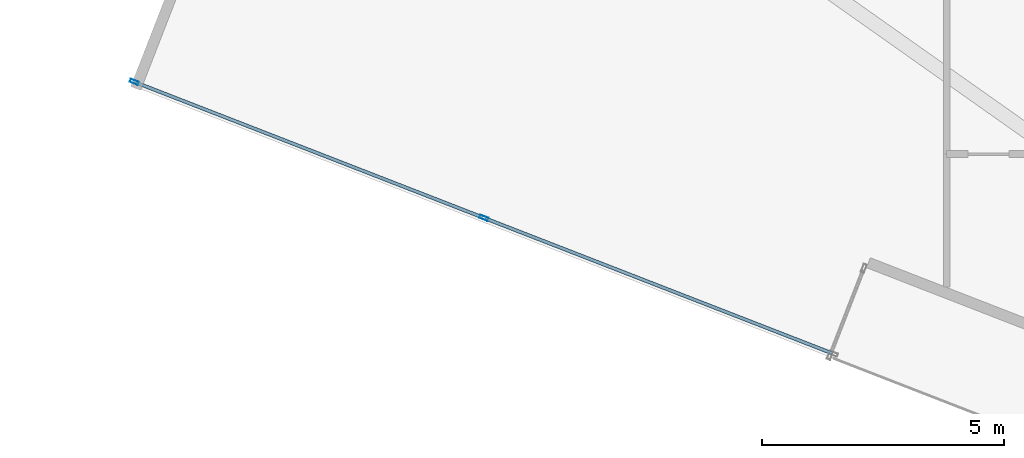
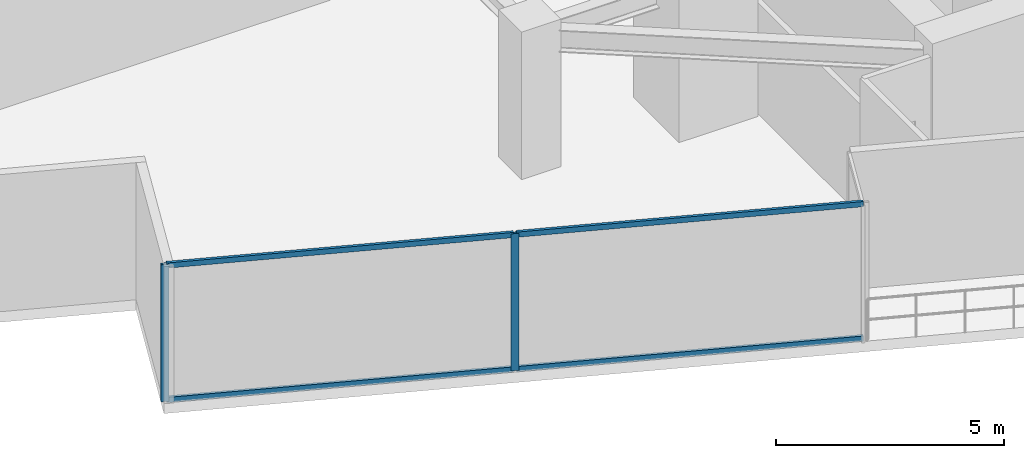
# One storey, part 2 of 26: 6 members, 1 element without a shape of its own.
"""IFC4 building model written with IfcOpenShell, lengths in metres."""

from ifc_helpers import new_model, si_unit, direction, frame, origin, origin_2d, place, context, subcontext, project, spatial, hollow_rectangle, extrude, source, transform, mapped, material, material_profile, profile_set, type_object, type_shapes, element, aggregate, save


model = new_model("IFC4")

# Units and contexts
model_context = context("Model", 3, precision=1e-05, world=origin(), true_north=direction((0.0, 1.0)))
body_context = subcontext(model_context, "Body", "Model", "MODEL_VIEW")
ifc_project = project(units=[si_unit("LENGTHUNIT", "METRE"), si_unit("AREAUNIT", "SQUARE_METRE"), si_unit("VOLUMEUNIT", "CUBIC_METRE"), si_unit("PLANEANGLEUNIT", "RADIAN"), si_unit("MASSUNIT", "GRAM", prefix="KILO")], contexts=[model_context])

# Site, building, storey
site_placement = place(None, origin())
site = spatial("IfcSite", under=ifc_project, at=site_placement, CompositionType="ELEMENT")
building_placement = place(site_placement, origin())
building = spatial("IfcBuilding", under=site, at=building_placement, Name="Krantzveldt Concourse Tower", CompositionType="ELEMENT")
storey_placement = place(building_placement, frame((0.0, 0.0, 129.550048828125)))
storey = spatial("IfcBuildingStorey", under=building, at=storey_placement, Name="L31", CompositionType="ELEMENT", Elevation=129.550048828125)

# Curtain wall, members
ifc_material = material(Name="Anodised aluminium 6063-T6", Category="aluminium")
curtain_wall_type = type_object("IfcCurtainWallType", Name="CW2", PredefinedType="USERDEFINED", material=ifc_material)
curtain_wall_placement = place(storey_placement, origin())
curtain_wall = element("IfcCurtainWall", 1, at=curtain_wall_placement, inside=storey, type_object=curtain_wall_type, Name="CW-L31-F04", ObjectType="UNITISED CURTAIN WALL", PredefinedType="USERDEFINED")
ifc_material_profile_1 = material_profile(ifc_material, hollow_rectangle(XDim=0.070068359375, YDim=0.179931640625, WallThickness=0.0048828125, at=origin_2d()), Name="Anodised aluminium 6063-T6", Category="aluminium")
ifc_profile_set_1 = profile_set([ifc_material_profile_1], Name="Anodised aluminium 6063-T6 - ALU-MULL 180x70x5")
member_type_1 = type_object("IfcMemberType", Name="CW-MUL-180", PredefinedType="MULLION", material=ifc_profile_set_1)
shared_shape_1 = source(origin(), body_context, "Body", "SweptSolid", [
    extrude(hollow_rectangle(XDim=0.070068359375, YDim=0.179931640625, WallThickness=0.0048828125, at=origin_2d()), origin(), (0.0, 0.0, 1.0), 3.669921875),
])
type_shapes(member_type_1, [shared_shape_1])
member_1_placement = place(storey_placement, frame((9.503173828125, 11.993408203125, 0.0), z_axis=(0.0, 0.0, 1.0), x_axis=(0.362437908899, 0.932007919598, 0.0)))
member_1 = element("IfcMember", 2, at=member_1_placement, type_object=member_type_1, Name="CW-Z12 mullion 1", PredefinedType="MULLION", context=body_context, shape_type="MappedRepresentation", body=[
    mapped(shared_shape_1, transform((0.0, 0.0, 0.0), x_axis=(1.0, 0.0, 0.0), y_axis=(0.0, 1.0, 0.0), z_axis=(0.0, 0.0, 1.0), scale=1.0)),
])
member_2_placement = place(storey_placement, frame((16.740234375, 9.17919921875, 0.0), z_axis=(0.0, 0.0, 1.0), x_axis=(0.362437908899, 0.932007919598, 0.0)))
member_2 = element("IfcMember", 3, at=member_2_placement, type_object=member_type_1, Name="CW-Z12 mullion 2", PredefinedType="MULLION", context=body_context, shape_type="MappedRepresentation", body=[
    mapped(shared_shape_1, transform((0.0, 0.0, 0.0), x_axis=(1.0, 0.0, 0.0), y_axis=(0.0, 1.0, 0.0), z_axis=(0.0, 0.0, 1.0), scale=1.0)),
])
ifc_material_profile_2 = material_profile(ifc_material, hollow_rectangle(XDim=0.070068359375, YDim=0.139892578125, WallThickness=0.0048828125, at=origin_2d()), Name="Anodised aluminium 6063-T6", Category="aluminium")
ifc_profile_set_2 = profile_set([ifc_material_profile_2], Name="Anodised aluminium 6063-T6 - ALU-TRAN 140x70x5")
member_type_2 = type_object("IfcMemberType", Name="CW-TRN-150", PredefinedType="USERDEFINED", material=ifc_profile_set_2)
shared_shape_2 = source(origin(), body_context, "Body", "SweptSolid", [
    extrude(hollow_rectangle(XDim=0.070068359375, YDim=0.139892578125, WallThickness=0.0048828125, at=origin_2d()), origin(), (0.0, 0.0, 1.0), 7.69482421875),
])
member_3_placement = place(storey_placement, frame((16.77294921875, 9.16650390625, 0.034912109375), z_axis=(0.932000503501, -0.362456978791, 0.0), x_axis=(0.362456978791, 0.932000503501, 0.0)))
member_3 = element("IfcMember", 4, at=member_3_placement, type_object=member_type_2, Name="CW-Z12 transom 2.1", ObjectType="TRANSOM", PredefinedType="USERDEFINED", context=body_context, shape_type="MappedRepresentation", body=[
    mapped(shared_shape_2, transform((0.0, 0.0, 0.0), x_axis=(1.0, 0.0, 0.0), y_axis=(0.0, 1.0, 0.0), z_axis=(0.0, 0.0, 1.0), scale=1.0)),
])
member_4_placement = place(storey_placement, frame((16.77294921875, 9.16650390625, 3.635009765625), z_axis=(0.932000503501, -0.362456978791, 0.0), x_axis=(0.362456978791, 0.932000503501, 0.0)))
member_4 = element("IfcMember", 5, at=member_4_placement, type_object=member_type_2, Name="CW-Z12 transom 2.2", ObjectType="TRANSOM", PredefinedType="USERDEFINED", context=body_context, shape_type="MappedRepresentation", body=[
    mapped(shared_shape_2, transform((0.0, 0.0, 0.0), x_axis=(1.0, 0.0, 0.0), y_axis=(0.0, 1.0, 0.0), z_axis=(0.0, 0.0, 1.0), scale=1.0)),
])
shared_shape_3 = source(origin(), body_context, "Body", "SweptSolid", [
    extrude(hollow_rectangle(XDim=0.070068359375, YDim=0.139892578125, WallThickness=0.0048828125, at=origin_2d()), origin(), (0.0, 0.0, 1.0), 7.695068359375),
])
type_shapes(member_type_2, [shared_shape_2, shared_shape_3])
member_5_placement = place(storey_placement, frame((9.535888671875, 11.980712890625, 0.034912109375), z_axis=(0.9320153886, -0.362418701797, 0.0), x_axis=(0.362418701797, 0.9320153886, 0.0)))
member_5 = element("IfcMember", 6, at=member_5_placement, type_object=member_type_2, Name="CW-Z12 transom 1.1", ObjectType="TRANSOM", PredefinedType="USERDEFINED", context=body_context, shape_type="MappedRepresentation", body=[
    mapped(shared_shape_3, transform((0.0, 0.0, 0.0), x_axis=(1.0, 0.0, 0.0), y_axis=(0.0, 1.0, 0.0), z_axis=(0.0, 0.0, 1.0), scale=1.0)),
])
member_6_placement = place(storey_placement, frame((9.535888671875, 11.980712890625, 3.635009765625), z_axis=(0.9320153886, -0.362418701797, 0.0), x_axis=(0.362418701797, 0.9320153886, 0.0)))
member_6 = element("IfcMember", 7, at=member_6_placement, type_object=member_type_2, Name="CW-Z12 transom 1.2", ObjectType="TRANSOM", PredefinedType="USERDEFINED", context=body_context, shape_type="MappedRepresentation", body=[
    mapped(shared_shape_3, transform((0.0, 0.0, 0.0), x_axis=(1.0, 0.0, 0.0), y_axis=(0.0, 1.0, 0.0), z_axis=(0.0, 0.0, 1.0), scale=1.0)),
])
aggregate(curtain_wall, [member_1, member_2, member_5, member_6, member_3, member_4])

save(model, "model.ifc")
